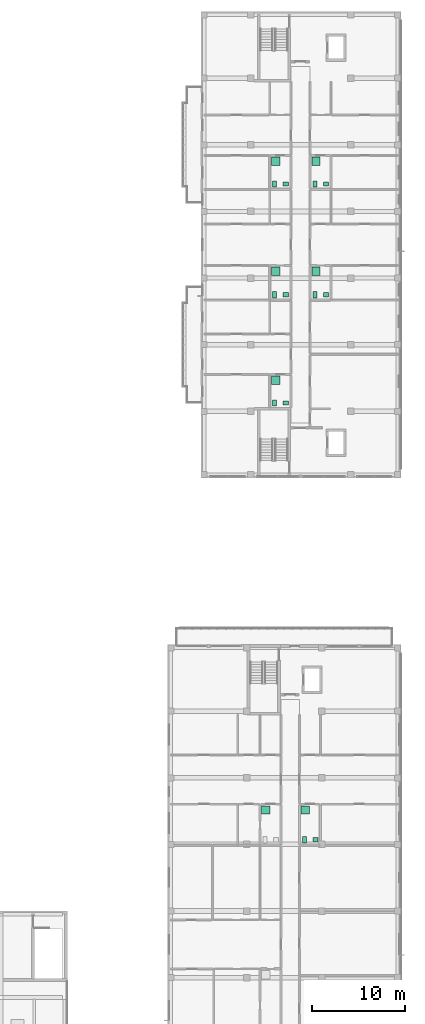
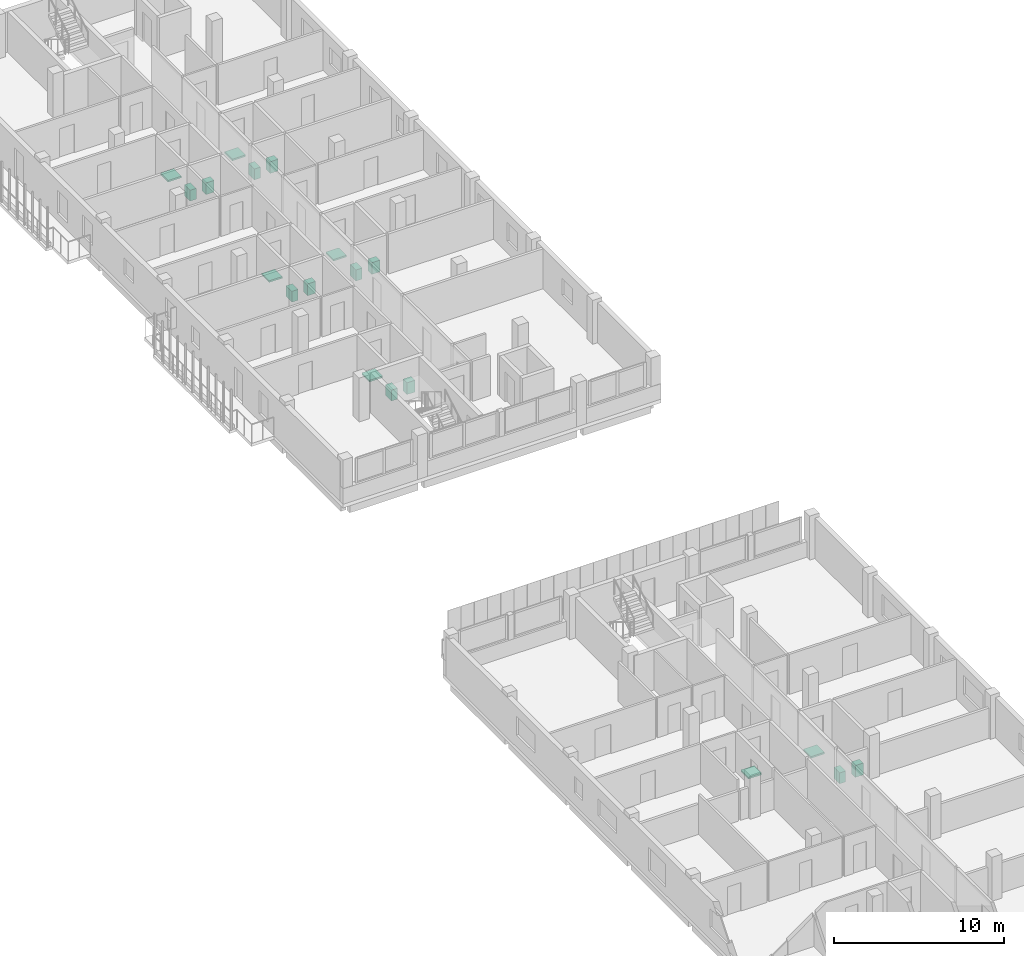
# One storey, part 56 of 56: 19 sanitary terminals.
"""IFC4 building model written with IfcOpenShell, lengths in metres."""

from ifc_helpers import new_model, si_unit, derived_unit, direction, frame, origin, origin_2d, place, context, subcontext, project, spatial, rectangle, extrude, material, type_object, element, save


model = new_model("IFC4")

# Units and contexts
model_context = context("Model", 3, precision=1e-05, world=origin(), true_north=direction((0.0, 1.0)))
body_context = subcontext(model_context, "Body", "Model", "MODEL_VIEW")
ifc_project = project(units=[si_unit("LENGTHUNIT", "METRE"), si_unit("AREAUNIT", "SQUARE_METRE"), si_unit("VOLUMEUNIT", "CUBIC_METRE"), si_unit("PLANEANGLEUNIT", "RADIAN"), si_unit("MASSUNIT", "GRAM", prefix="KILO"), derived_unit("THERMALTRANSMITTANCEUNIT", [(si_unit("MASSUNIT", "GRAM", prefix="KILO"), 1), (si_unit("TIMEUNIT", "SECOND"), -3), (si_unit("THERMODYNAMICTEMPERATUREUNIT", "KELVIN"), -1)])], contexts=[model_context])

# Site, building, storey
site_placement = place(None, origin())
site = spatial("IfcSite", under=ifc_project, at=site_placement, CompositionType="ELEMENT")
building_placement = place(site_placement, origin())
building = spatial("IfcBuilding", under=site, at=building_placement, Name="Ochrekiln Boulevard Commons", CompositionType="ELEMENT")
storey_placement = place(building_placement, frame((0.0, 0.0, 12.074951171875)))
storey = spatial("IfcBuildingStorey", under=building, at=storey_placement, Name="L03", CompositionType="ELEMENT", Elevation=12.074951171875)

# Sanitary terminals
ifc_material = material(Name="Vitreous china sanitaryware")
sanitary_terminal_type_1 = type_object("IfcSanitaryTerminalType", Name="SAN-BAS", PredefinedType="WASHHANDBASIN", material=ifc_material)
for number, where, z_axis, x_axis, name in (
    (1, (160.3701171875, 76.5, 0.0), (0.0, 0.0, 1.0), (1.0, 0.0, 0.0), "L03 Washhand Basin Fixture"),
    (2, (160.3701171875, 88.2060546875, 0.0), (0.0, 0.0, 1.0), (1.0, 0.0, 0.0), "L03 Washhand Basin Fixture"),
    (3, (160.3701171875, 100.174072265625, 0.0), (0.0, 0.0, 1.0), (1.0, 0.0, 0.0), "L03 Washhand Basin Fixture"),
    (4, (164.72998046875, 88.2060546875, 0.0), (0.0, 0.0, 1.0), (1.0, 0.0, 0.0), "L03 Washhand Basin Fixture"),
    (5, (164.72998046875, 100.174072265625, 0.0), (0.0, 0.0, 1.0), (1.0, 0.0, 0.0), "L03 Washhand Basin Fixture"),
    (6, (163.580078125, 29.31005859375, 0.0), (0.0, 0.0, 1.0), (1.0, 0.0, 0.0), "L03 Washhand Basin Fixture"),
):
    element("IfcSanitaryTerminal", number, at=place(storey_placement, frame(where, z_axis=z_axis, x_axis=x_axis)), inside=storey, type_object=sanitary_terminal_type_1, Name=name, PredefinedType="WASHHANDBASIN", context=body_context, shape_type="SweptSolid", body=[
        extrude(rectangle(XDim=0.550048828125, YDim=0.4599609375, at=origin_2d()), origin(), (0.0, 0.0, 1.0), 0.840087890625),
    ])
sanitary_terminal_type_2 = type_object("IfcSanitaryTerminalType", Name="SAN-SHW", PredefinedType="SHOWER", material=ifc_material)
for number, where, z_axis, x_axis, name in (
    (7, (159.27001953125, 78.943115234375, 0.0), (0.0, 0.0, 1.0), (1.0, 0.0, 0.0), "L03 Shower Receptor"),
    (8, (159.27001953125, 90.72998046875, 0.0), (0.0, 0.0, 1.0), (1.0, 0.0, 0.0), "L03 Shower Receptor"),
    (9, (159.27001953125, 102.616943359375, 0.0), (0.0, 0.0, 1.0), (1.0, 0.0, 0.0), "L03 Shower Receptor"),
    (10, (163.6298828125, 90.72998046875, 0.0), (0.0, 0.0, 1.0), (1.0, 0.0, 0.0), "L03 Shower Receptor"),
    (11, (163.6298828125, 102.616943359375, 0.0), (0.0, 0.0, 1.0), (1.0, 0.0, 0.0), "L03 Shower Receptor"),
    (12, (158.219970703125, 32.51708984375, 0.0), (0.0, 0.0, 1.0), (1.0, 0.0, 0.0), "L03 Shower Receptor"),
    (13, (162.47998046875, 32.51708984375, 0.0), (0.0, 0.0, 1.0), (1.0, 0.0, 0.0), "L03 Shower Receptor"),
):
    element("IfcSanitaryTerminal", number, at=place(storey_placement, frame(where, z_axis=z_axis, x_axis=x_axis)), inside=storey, type_object=sanitary_terminal_type_2, Name=name, PredefinedType="SHOWER", context=body_context, shape_type="SweptSolid", body=[
        extrude(rectangle(XDim=0.89990234375, YDim=0.89990234375, at=origin_2d()), origin(), (0.0, 0.0, 1.0), 0.1201171875),
    ])
sanitary_terminal_type_3 = type_object("IfcSanitaryTerminalType", Name="SAN-WC", PredefinedType="TOILETPAN", material=ifc_material)
for number, where, z_axis, x_axis, name in (
    (14, (159.169921875, 76.5, 0.0), (0.0, 0.0, 1.0), (1.0, 0.0, 0.0), "L03 Water Closet Fixture"),
    (15, (159.169921875, 88.2060546875, 0.0), (0.0, 0.0, 1.0), (1.0, 0.0, 0.0), "L03 Water Closet Fixture"),
    (16, (159.169921875, 100.174072265625, 0.0), (0.0, 0.0, 1.0), (1.0, 0.0, 0.0), "L03 Water Closet Fixture"),
    (17, (163.530029296875, 88.2060546875, 0.0), (0.0, 0.0, 1.0), (1.0, 0.0, 0.0), "L03 Water Closet Fixture"),
    (18, (163.530029296875, 100.174072265625, 0.0), (0.0, 0.0, 1.0), (1.0, 0.0, 0.0), "L03 Water Closet Fixture"),
    (19, (162.3798828125, 29.31005859375, 0.0), (0.0, 0.0, 1.0), (1.0, 0.0, 0.0), "L03 Water Closet Fixture"),
):
    element("IfcSanitaryTerminal", number, at=place(storey_placement, frame(where, z_axis=z_axis, x_axis=x_axis)), inside=storey, type_object=sanitary_terminal_type_3, Name=name, PredefinedType="TOILETPAN", context=body_context, shape_type="SweptSolid", body=[
        extrude(rectangle(XDim=0.419921875, YDim=0.679931640625, at=origin_2d()), origin(), (0.0, 0.0, 1.0), 0.780029296875),
    ])

save(model, "model.ifc")
